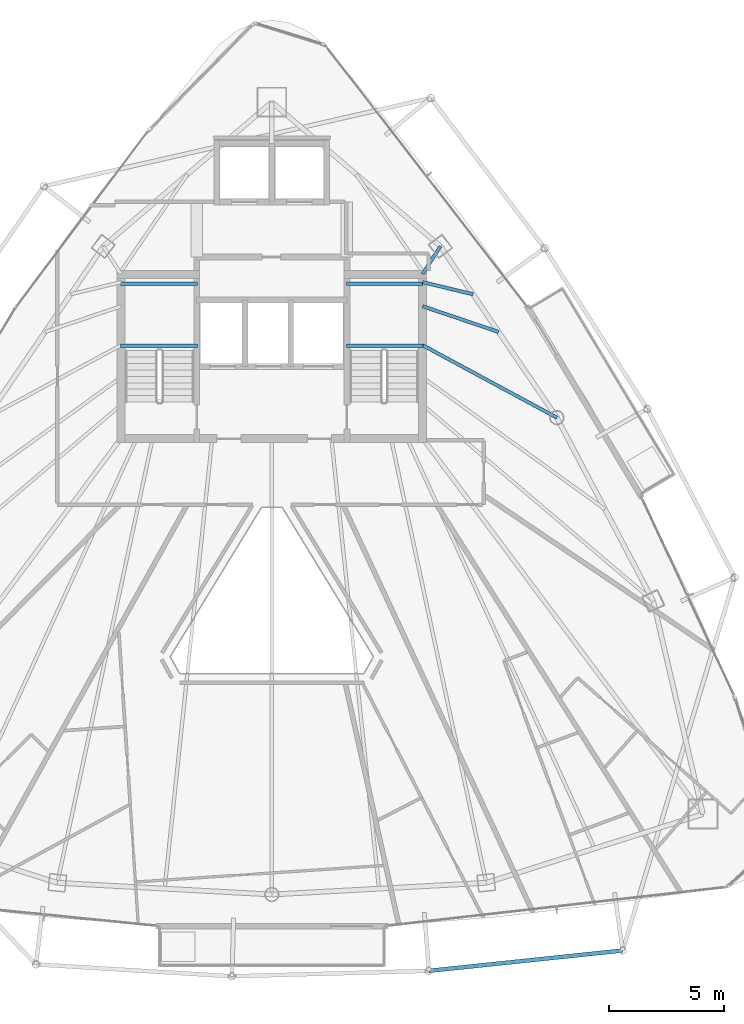
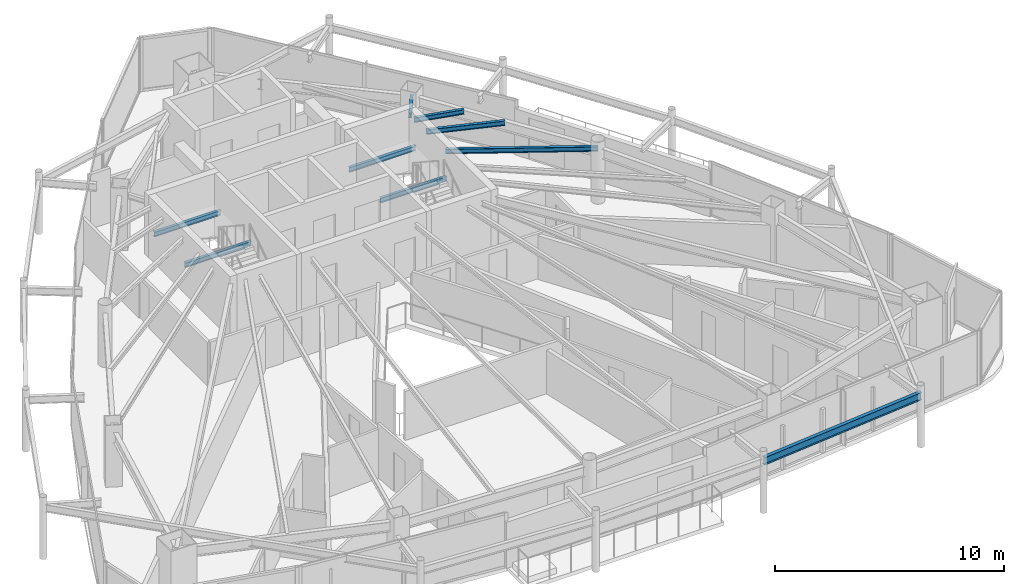
# One storey, part 13 of 29: 9 beams.
"""IFC4 building model written with IfcOpenShell, lengths in metres."""

import ifcopenshell
import ifcopenshell.guid

model = None  # the IFC model being written
_history = None  # IfcOwnerHistory: only IFC2X3 demands one
_inside = {}  # id of a spatial element -> (the spatial element, [elements in it])
_under = {}  # id of a project, library or spatial element -> (it, [spatial elements below it])
_declared = {}  # id of a project -> (the project, [libraries it declares])
_typed = {}  # id of a type object -> (the type object, [elements of that type])
_made_of = {}  # id of a material, layer set ... -> (it, [elements and type objects made of it])


def new_model(schema):
    """Start an empty IFC model of exactly this schema.

    Asked for "IFC4X3", IfcOpenShell would pick the latest addendum, in which some entities
    have other attributes; the version numbers below select the first issue.
    IFC2X3 requires an IfcOwnerHistory on every rooted entity: one is made here for all.
    """
    global model, _history
    if schema == "IFC4X3":
        model = ifcopenshell.file(schema_version=(4, 3, 0, 0))
    else:
        model = ifcopenshell.file(schema=schema)
    _inside.clear()
    _under.clear()
    _declared.clear()
    _typed.clear()
    _made_of.clear()
    _history = None
    if model.schema == "IFC2X3":
        org = make("IfcOrganization", Name="unknown")
        user = make(
            "IfcPersonAndOrganization",
            ThePerson=make("IfcPerson", FamilyName="unknown"),
            TheOrganization=org,
        )
        app = make(
            "IfcApplication",
            ApplicationDeveloper=org,
            Version="unknown",
            ApplicationFullName="unknown",
            ApplicationIdentifier="unknown",
        )
        _history = make(
            "IfcOwnerHistory",
            OwningUser=user,
            OwningApplication=app,
            ChangeAction="ADDED",
            CreationDate=0,
        )
    return model


def make(cls, **values):
    """One entity of the class cls with the attributes given. An attribute that is None is left unset."""
    return model.create_entity(
        cls, **{name: value for name, value in values.items() if value is not None}
    )


def rooted(cls, **values):
    """An entity with a GlobalId (a new one), such as an element, a storey or a relation."""
    return make(cls, GlobalId=ifcopenshell.guid.new(), OwnerHistory=_history, **values)


def si_unit(unit_type, name, prefix=None):
    """IfcSIUnit, for example si_unit("LENGTHUNIT", "METRE", prefix="MILLI")."""
    return make("IfcSIUnit", UnitType=unit_type, Prefix=prefix, Name=name)


def assignment(units):
    """IfcUnitAssignment: the units of a project."""
    return None if units is None else make("IfcUnitAssignment", Units=units)


def point(xyz):
    """IfcCartesianPoint."""
    return None if xyz is None else make("IfcCartesianPoint", Coordinates=xyz)


def direction(xyz):
    """IfcDirection."""
    return None if xyz is None else make("IfcDirection", DirectionRatios=xyz)


def frame(location, z_axis=None, x_axis=None):
    """IfcAxis2Placement3D, a coordinate frame: its origin and axes. An axis left out is left unset."""
    return make(
        "IfcAxis2Placement3D",
        Location=point(location),
        Axis=direction(z_axis),
        RefDirection=direction(x_axis),
    )


def frame_2d(location, x_axis=None):
    """IfcAxis2Placement2D, a coordinate frame in the plane: its origin and x axis."""
    return make(
        "IfcAxis2Placement2D", Location=point(location), RefDirection=direction(x_axis)
    )


def origin():
    """The frame at (0, 0, 0) with its axes left unset."""
    return frame((0.0, 0.0, 0.0))


def origin_2d():
    """The frame at (0, 0) in the plane with its x axis left unset."""
    return frame_2d((0.0, 0.0))


def place(relative_to, where):
    """IfcLocalPlacement: puts the frame where relative to a parent placement (None: the world)."""
    return make(
        "IfcLocalPlacement", PlacementRelTo=relative_to, RelativePlacement=where
    )


def context(
    kind, dimensions, precision=None, world=None, true_north=None, identifier=None
):
    """IfcGeometricRepresentationContext, for example the 3D "Model" context."""
    return make(
        "IfcGeometricRepresentationContext",
        ContextIdentifier=identifier,
        ContextType=kind,
        CoordinateSpaceDimension=dimensions,
        Precision=precision,
        WorldCoordinateSystem=world,
        TrueNorth=true_north,
    )


def subcontext(parent, identifier, kind, view, scale=None):
    """IfcGeometricRepresentationSubContext, for example "Body" below "Model"."""
    return make(
        "IfcGeometricRepresentationSubContext",
        ContextIdentifier=identifier,
        ContextType=kind,
        ParentContext=parent,
        TargetScale=scale,
        TargetView=view,
    )


def project(units=None, contexts=None):
    """IfcProject with its units and contexts."""
    return rooted(
        "IfcProject",
        Name="project",
        RepresentationContexts=contexts,
        UnitsInContext=assignment(units),
    )


def spatial(cls, under=None, at=None, **own):
    """A site, building, storey or space (cls), placed at a placement, below another one or the project."""
    s = rooted(cls, ObjectPlacement=at, **own)
    if under is not None:
        _under.setdefault(under.id(), (under, []))[1].append(s)
    return s


def profile(cls, at=None, kind="AREA", **sizes):
    """A parametric profile (cls). Its sizes go by their IFC names, for example OverallWidth=200.0."""
    return make(cls, ProfileType=kind, Position=at, **sizes)


def i_section(**sizes):
    """IfcIShapeProfileDef."""
    return profile("IfcIShapeProfileDef", **sizes)


def extrude(swept, where, along, depth):
    """IfcExtrudedAreaSolid: the profile swept, set in the frame where, extruded along a direction by depth."""
    return make(
        "IfcExtrudedAreaSolid",
        SweptArea=swept,
        Position=where,
        ExtrudedDirection=direction(along),
        Depth=depth,
    )


def shape(context_of_items, identifier, shape_type, items):
    """IfcShapeRepresentation: the items that make up one representation, for example the "Body"."""
    return make(
        "IfcShapeRepresentation",
        ContextOfItems=context_of_items,
        RepresentationIdentifier=identifier,
        RepresentationType=shape_type,
        Items=items,
    )


def material(Name=None, Category=None):
    """IfcMaterial."""
    return make("IfcMaterial", Name=Name, Category=Category)


def material_profile(
    of_material, cross_section, Name=None, Category=None, Priority=None
):
    """IfcMaterialProfile: a cross section and its material."""
    return make(
        "IfcMaterialProfile",
        Name=Name,
        Material=of_material,
        Profile=cross_section,
        Priority=Priority,
        Category=Category,
    )


def profile_set(profiles, Name=None, composite=None):
    """IfcMaterialProfileSet."""
    return make(
        "IfcMaterialProfileSet",
        Name=Name,
        MaterialProfiles=profiles,
        CompositeProfile=composite,
    )


def made_of(thing, what):
    """Note that an element or type object is made of a material, layer set ...; save() writes the relation."""
    if what is not None:
        _made_of.setdefault(what.id(), (what, []))[1].append(thing)
    return thing


def type_object(cls, material=None, **own):
    """A type object (cls), such as IfcWallType, which elements share."""
    return made_of(rooted(cls, **own), material)


def element(
    cls,
    number,
    at=None,
    inside=None,
    cuts=None,
    type_object=None,
    material=None,
    context=None,
    identifier="Body",
    shape_type=None,
    held_by="IfcProductDefinitionShape",
    body=None,
    shapes=None,
    **own,
):
    """One element of the class cls, such as IfcWall. Its Tag is "e" and its number.

    at: its placement. inside: the storey or other place that contains it. cuts: it is an
    opening in that element (IfcRelVoidsElement). A single representation is given by context,
    identifier, shape_type and body (its items); several are given by shapes. held_by: the class
    of the entity that holds the representations. save() writes the other relations.
    """
    e = rooted(cls, Tag="e%d" % number, ObjectPlacement=at, **own)
    if body is not None:
        shapes = [shape(context, identifier, shape_type, body)]
    if shapes is not None:
        e.Representation = make(held_by, Representations=shapes)
    if inside is not None:
        _inside.setdefault(inside.id(), (inside, []))[1].append(e)
    if cuts is not None:
        rooted(
            "IfcRelVoidsElement", RelatingBuildingElement=cuts, RelatedOpeningElement=e
        )
    if type_object is not None:
        _typed.setdefault(type_object.id(), (type_object, []))[1].append(e)
    return made_of(e, material)


def aggregate(whole, parts):
    """IfcRelAggregates: a whole, such as a stair, and the parts it consists of."""
    return rooted("IfcRelAggregates", RelatingObject=whole, RelatedObjects=parts)


def save(model, path):
    """Write the relations noted so far, then the file.

    IfcRelAggregates (storeys below a building ...), IfcRelContainedInSpatialStructure (elements
    in a storey), IfcRelDefinesByType, IfcRelAssociatesMaterial and IfcRelDeclares: one each for
    every whole, place, type object, material and project.
    """
    for whole, parts in _under.values():
        aggregate(whole, parts)
    for where, things in _inside.values():
        rooted(
            "IfcRelContainedInSpatialStructure",
            RelatedElements=things,
            RelatingStructure=where,
        )
    for kind, things in _typed.values():
        rooted("IfcRelDefinesByType", RelatedObjects=things, RelatingType=kind)
    for what, things in _made_of.values():
        rooted("IfcRelAssociatesMaterial", RelatedObjects=things, RelatingMaterial=what)
    for by, libraries in _declared.values():
        rooted("IfcRelDeclares", RelatingContext=by, RelatedDefinitions=libraries)
    model.write(path)


model = new_model("IFC4")

# Units and contexts
model_context = context("Model", 3, precision=1e-05, world=origin(), true_north=direction((0.0, 1.0)))
body_context = subcontext(model_context, "Body", "Model", "MODEL_VIEW")
ifc_project = project(units=[si_unit("LENGTHUNIT", "METRE"), si_unit("AREAUNIT", "SQUARE_METRE"), si_unit("VOLUMEUNIT", "CUBIC_METRE"), si_unit("PLANEANGLEUNIT", "RADIAN"), si_unit("MASSUNIT", "GRAM", prefix="KILO")], contexts=[model_context])

# Site, building, storey
site_placement = place(None, origin())
site = spatial("IfcSite", under=ifc_project, at=site_placement, CompositionType="ELEMENT")
building_placement = place(site_placement, origin())
building = spatial("IfcBuilding", under=site, at=building_placement, Name="Orvanel Arch Residences", CompositionType="ELEMENT")
storey_placement = place(building_placement, frame((0.0, 0.0, 253.550048828125)))
storey = spatial("IfcBuildingStorey", under=building, at=storey_placement, Name="L72", CompositionType="ELEMENT", Elevation=253.550048828125)

# Beams
ifc_material = material(Name="Structural steel AS/NZS 3679.1 Grade 300 (300 MPa)", Category="steel")
ifc_material_profile_1 = material_profile(ifc_material, i_section(OverallWidth=0.14599609375, OverallDepth=0.251953125, WebThickness=0.006103515625, FlangeThickness=0.008544921875, at=origin_2d()), Name="250UB31.4")
ifc_profile_set_1 = profile_set([ifc_material_profile_1], Name="Structural steel AS/NZS 3679.1 Grade 300 (300 MPa)")
beam_type_1 = type_object("IfcBeamType", Name="BJ-250UB", PredefinedType="JOIST", material=ifc_profile_set_1)
for number, where, z_axis, x_axis, name in (
    (1, (26.39990234375, 30.780029296875, 1.323974609375), (1.0, 0.0, 0.0), (0.0, 1.0, 0.0), "L72 ST-1 Half-Landing Support Beam 1.1"),
    (2, (26.39990234375, 33.47998046875, 1.323974609375), (1.0, 0.0, 0.0), (0.0, 1.0, 0.0), "L72 ST-1 Half-Landing Support Beam 1.2"),
    (3, (36.25, 30.780029296875, 1.323974609375), (1.0, 0.0, 0.0), (0.0, 1.0, 0.0), "L72 ST-2 Half-Landing Support Beam 1.1"),
    (4, (36.25, 33.47998046875, 1.323974609375), (1.0, 0.0, 0.0), (0.0, 1.0, 0.0), "L72 ST-2 Half-Landing Support Beam 1.2"),
):
    element("IfcBeam", number, at=place(storey_placement, frame(where, z_axis=z_axis, x_axis=x_axis)), inside=storey, type_object=beam_type_1, Name=name, PredefinedType="JOIST", context=body_context, shape_type="SweptSolid", body=[
        extrude(i_section(OverallWidth=0.14599609375, OverallDepth=0.251953125, WebThickness=0.006103515625, FlangeThickness=0.008544921875, at=origin_2d()), origin(), (0.0, 0.0, 1.0), 3.35009765625),
    ])
beam_1_placement = place(storey_placement, frame((39.574951171875, 33.89990234375, 2.77392578125), z_axis=(0.539395075146, 0.842052820735, 0.0), x_axis=(-0.842052820735, 0.539395075146, 0.0)))
element("IfcBeam", 5, at=beam_1_placement, inside=storey, type_object=beam_type_1, Name="L72 NNE Wing Floor Joist", PredefinedType="JOIST", context=body_context, shape_type="SweptSolid", body=[
    extrude(i_section(OverallWidth=0.14599609375, OverallDepth=0.251953125, WebThickness=0.006103515625, FlangeThickness=0.008544921875, at=origin_2d()), origin(), (0.0, 0.0, 1.0), 1.440673828125),
])
beam_2_placement = place(storey_placement, frame((39.574951171875, 30.800048828125, 2.77392578125), z_axis=(0.880111494021, -0.474767056664, 0.0), x_axis=(0.474767056664, 0.880111494021, 0.0)))
element("IfcBeam", 6, at=beam_2_placement, inside=storey, type_object=beam_type_1, Name="L72 NE Wing Floor Joist", PredefinedType="JOIST", context=body_context, shape_type="SweptSolid", body=[
    extrude(i_section(OverallWidth=0.14599609375, OverallDepth=0.251953125, WebThickness=0.006103515625, FlangeThickness=0.008544921875, at=origin_2d()), origin(), (0.0, 0.0, 1.0), 6.653564453125),
])
beam_3_placement = place(storey_placement, frame((39.574951171875, 32.5, 2.77392578125), z_axis=(0.947159269453, -0.320763648641, 0.0), x_axis=(0.320763648641, 0.947159269453, 0.0)))
element("IfcBeam", 7, at=beam_3_placement, inside=storey, type_object=beam_type_1, Name="L72 ENE Wing Floor Joist", PredefinedType="JOIST", context=body_context, shape_type="SweptSolid", body=[
    extrude(i_section(OverallWidth=0.14599609375, OverallDepth=0.251953125, WebThickness=0.006103515625, FlangeThickness=0.008544921875, at=origin_2d()), origin(), (0.0, 0.0, 1.0), 3.501220703125),
])
beam_4_placement = place(storey_placement, frame((39.574951171875, 33.550048828125, 2.77392578125), z_axis=(0.972256833016, -0.23391590509, 0.0), x_axis=(0.23391590509, 0.972256833016, 0.0)))
element("IfcBeam", 8, at=beam_4_placement, inside=storey, type_object=beam_type_1, Name="L72 JADD4 Wing Floor Joist", PredefinedType="JOIST", context=body_context, shape_type="SweptSolid", body=[
    extrude(i_section(OverallWidth=0.14599609375, OverallDepth=0.251953125, WebThickness=0.006103515625, FlangeThickness=0.008544921875, at=origin_2d()), origin(), (0.0, 0.0, 1.0), 2.26171875),
])
ifc_material_profile_2 = material_profile(ifc_material, i_section(OverallWidth=0.177978515625, OverallDepth=0.406005859375, WebThickness=0.0078125, FlangeThickness=0.0126953125, at=origin_2d()), Name="410UB59.7")
ifc_profile_set_2 = profile_set([ifc_material_profile_2], Name="Structural steel AS/NZS 3679.1 Grade 300 (300 MPa)")
beam_type_2 = type_object("IfcBeamType", Name="OB-410UB-EXT", PredefinedType="SPANDREL", material=ifc_profile_set_2)
beam_5_placement = place(storey_placement, frame((39.85205078125, 3.514892578125, 2.697021484375), z_axis=(0.994534382307, 0.104409589638, 0.0), x_axis=(-0.104409589638, 0.994534382307, 0.0)))
element("IfcBeam", 9, at=beam_5_placement, inside=storey, type_object=beam_type_2, Name="L72 Outer Perimeter Floor Ring Beam 07", PredefinedType="SPANDREL", context=body_context, shape_type="SweptSolid", body=[
    extrude(i_section(OverallWidth=0.177978515625, OverallDepth=0.406005859375, WebThickness=0.0078125, FlangeThickness=0.0126953125, at=origin_2d()), origin(), (0.0, 0.0, 1.0), 8.497314453125),
])

save(model, "model.ifc")
